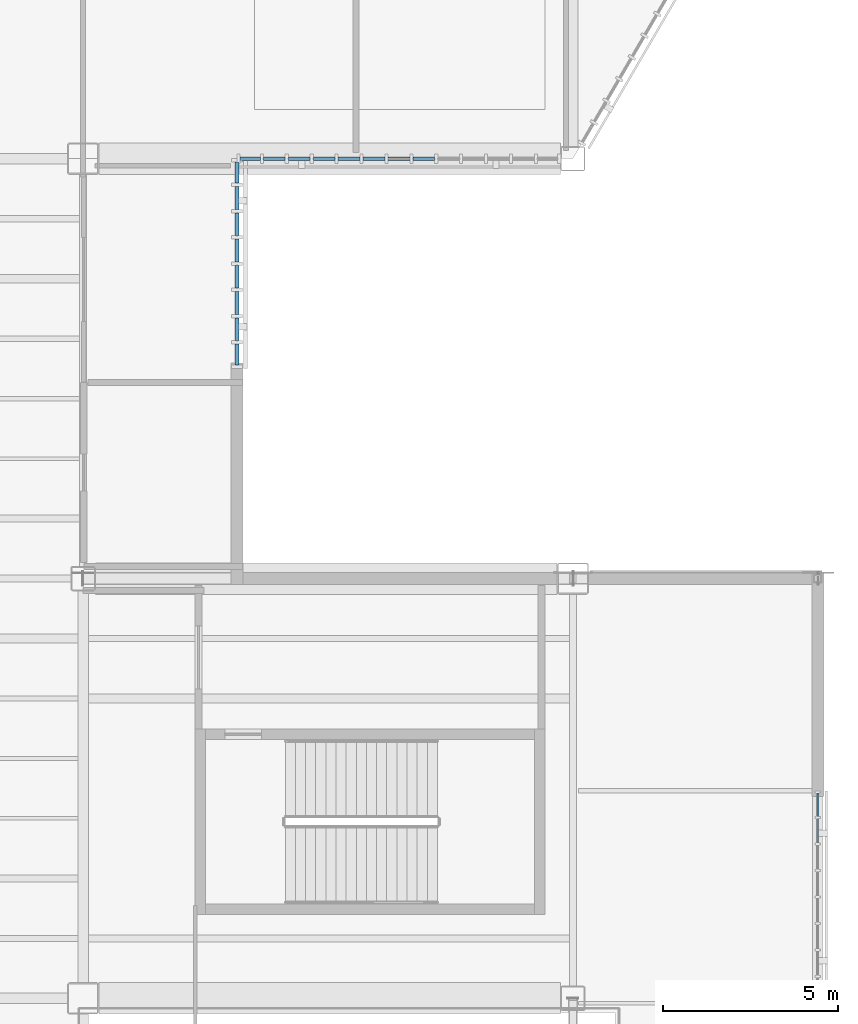
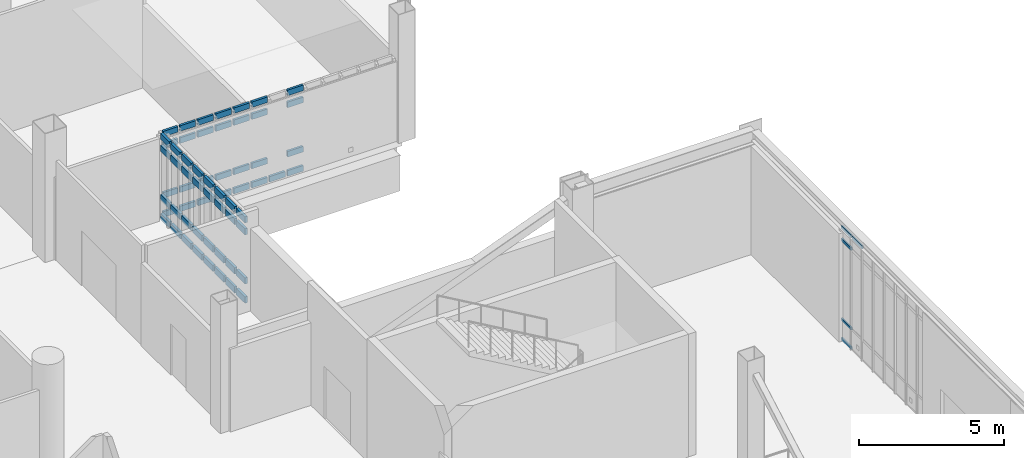
# One storey, part 56 of 127: 66 members, 3 elements without a shape of their own.
"""IFC4 building model written with IfcOpenShell, lengths in metres."""

from ifc_helpers import new_model, si_unit, direction, frame, origin, origin_2d, place, context, subcontext, project, spatial, rectangle, extrude, material, material_profile, profile_set, type_object, element, aggregate, save


model = new_model("IFC4")

# Units and contexts
model_context = context("Model", 3, precision=1e-05, world=origin(), true_north=direction((0.0, 1.0)))
body_context = subcontext(model_context, "Body", "Model", "MODEL_VIEW")
ifc_project = project(units=[si_unit("LENGTHUNIT", "METRE"), si_unit("AREAUNIT", "SQUARE_METRE"), si_unit("VOLUMEUNIT", "CUBIC_METRE"), si_unit("PLANEANGLEUNIT", "RADIAN"), si_unit("MASSUNIT", "GRAM", prefix="KILO")], contexts=[model_context])

# Site, building, storey
site_placement = place(None, origin())
site = spatial("IfcSite", under=ifc_project, at=site_placement, CompositionType="ELEMENT")
building_placement = place(site_placement, origin())
building = spatial("IfcBuilding", under=site, at=building_placement, Name="Larkvane Passage Sports Hall", CompositionType="ELEMENT")
storey_placement = place(building_placement, frame((0.0, 0.0, 5.39990234375)))
storey = spatial("IfcBuildingStorey", under=building, at=storey_placement, Name="L01", CompositionType="ELEMENT", Elevation=5.39990234375)

# Curtain wall, members
ifc_material_1 = material(Name="Thermally broken aluminium and low-E glazing", Category="aluminium")
curtain_wall_type_1 = type_object("IfcCurtainWallType", Name="CW-CLINIC", PredefinedType="USERDEFINED", material=ifc_material_1)
curtain_wall_1_placement = place(storey_placement, origin())
curtain_wall_1 = element("IfcCurtainWall", 1, at=curtain_wall_1_placement, inside=storey, type_object=curtain_wall_type_1, Name="Curtain wall CW5-L01-059", ObjectType="UNITISED CURTAIN WALL", PredefinedType="USERDEFINED")
ifc_material_2 = material(Name="Anodised aluminium 6063-T6", Category="aluminium")
ifc_material_profile_1 = material_profile(ifc_material_2, rectangle(XDim=0.10009765625, YDim=0.260009765625, at=origin_2d()), Name="ALU-TRN-100x260")
ifc_profile_set_1 = profile_set([ifc_material_profile_1], Name="Anodised aluminium 6063-T6")
member_type_1 = type_object("IfcMemberType", Name="CW-TRN-100x260", PredefinedType="USERDEFINED", material=ifc_profile_set_1)
member_1_placement = place(storey_placement, frame((136.0, 63.5, 0.050048828125), z_axis=(0.0, -1.0, 0.0), x_axis=(1.0, 0.0, 0.0)))
member_1 = element("IfcMember", 2, at=member_1_placement, type_object=member_type_1, Name="CW-05 transom 1.1", ObjectType="TRANSOM", PredefinedType="USERDEFINED", context=body_context, shape_type="SweptSolid", body=[
    extrude(rectangle(XDim=0.10009765625, YDim=0.260009765625, at=origin_2d()), origin(), (0.0, 0.0, 1.0), 0.60009765625),
])
member_2_placement = place(storey_placement, frame((136.0, 63.5, 0.85009765625), z_axis=(0.0, -1.0, 0.0), x_axis=(1.0, 0.0, 0.0)))
member_2 = element("IfcMember", 3, at=member_2_placement, type_object=member_type_1, Name="CW-05 transom 1.2", ObjectType="TRANSOM", PredefinedType="USERDEFINED", context=body_context, shape_type="SweptSolid", body=[
    extrude(rectangle(XDim=0.10009765625, YDim=0.260009765625, at=origin_2d()), origin(), (0.0, 0.0, 1.0), 0.60009765625),
])
member_3_placement = place(storey_placement, frame((136.0, 63.5, 2.918212890625), z_axis=(0.0, -1.0, 0.0), x_axis=(1.0, 0.0, 0.0)))
member_3 = element("IfcMember", 4, at=member_3_placement, type_object=member_type_1, Name="CW-05 transom 1.3", ObjectType="TRANSOM", PredefinedType="USERDEFINED", context=body_context, shape_type="SweptSolid", body=[
    extrude(rectangle(XDim=0.10009765625, YDim=0.260009765625, at=origin_2d()), origin(), (0.0, 0.0, 1.0), 0.60009765625),
])
member_4_placement = place(storey_placement, frame((136.0, 63.5, 3.418212890625), z_axis=(0.0, -1.0, 0.0), x_axis=(1.0, 0.0, 0.0)))
member_4 = element("IfcMember", 5, at=member_4_placement, type_object=member_type_1, Name="CW-05 transom 1.4", ObjectType="TRANSOM", PredefinedType="USERDEFINED", context=body_context, shape_type="SweptSolid", body=[
    extrude(rectangle(XDim=0.10009765625, YDim=0.260009765625, at=origin_2d()), origin(), (0.0, 0.0, 1.0), 0.60009765625),
])
member_5_placement = place(storey_placement, frame((136.0, 62.800048828125, 0.050048828125), z_axis=(0.0, -1.0, 0.0), x_axis=(1.0, 0.0, 0.0)))
member_5 = element("IfcMember", 6, at=member_5_placement, type_object=member_type_1, Name="CW-05 transom 2.1", ObjectType="TRANSOM", PredefinedType="USERDEFINED", context=body_context, shape_type="SweptSolid", body=[
    extrude(rectangle(XDim=0.10009765625, YDim=0.260009765625, at=origin_2d()), origin(), (0.0, 0.0, 1.0), 0.650146484375),
])
member_6_placement = place(storey_placement, frame((136.0, 62.800048828125, 0.85009765625), z_axis=(0.0, -1.0, 0.0), x_axis=(1.0, 0.0, 0.0)))
member_6 = element("IfcMember", 7, at=member_6_placement, type_object=member_type_1, Name="CW-05 transom 2.2", ObjectType="TRANSOM", PredefinedType="USERDEFINED", context=body_context, shape_type="SweptSolid", body=[
    extrude(rectangle(XDim=0.10009765625, YDim=0.260009765625, at=origin_2d()), origin(), (0.0, 0.0, 1.0), 0.650146484375),
])
member_7_placement = place(storey_placement, frame((136.0, 62.800048828125, 2.918212890625), z_axis=(0.0, -1.0, 0.0), x_axis=(1.0, 0.0, 0.0)))
member_7 = element("IfcMember", 8, at=member_7_placement, type_object=member_type_1, Name="CW-05 transom 2.3", ObjectType="TRANSOM", PredefinedType="USERDEFINED", context=body_context, shape_type="SweptSolid", body=[
    extrude(rectangle(XDim=0.10009765625, YDim=0.260009765625, at=origin_2d()), origin(), (0.0, 0.0, 1.0), 0.650146484375),
])
member_8_placement = place(storey_placement, frame((136.0, 62.800048828125, 3.418212890625), z_axis=(0.0, -1.0, 0.0), x_axis=(1.0, 0.0, 0.0)))
member_8 = element("IfcMember", 9, at=member_8_placement, type_object=member_type_1, Name="CW-05 transom 2.4", ObjectType="TRANSOM", PredefinedType="USERDEFINED", context=body_context, shape_type="SweptSolid", body=[
    extrude(rectangle(XDim=0.10009765625, YDim=0.260009765625, at=origin_2d()), origin(), (0.0, 0.0, 1.0), 0.650146484375),
])
member_9_placement = place(storey_placement, frame((136.0, 62.050048828125, 0.050048828125), z_axis=(0.0, -1.0, 0.0), x_axis=(1.0, 0.0, 0.0)))
member_9 = element("IfcMember", 10, at=member_9_placement, type_object=member_type_1, Name="CW-05 transom 3.1", ObjectType="TRANSOM", PredefinedType="USERDEFINED", context=body_context, shape_type="SweptSolid", body=[
    extrude(rectangle(XDim=0.10009765625, YDim=0.260009765625, at=origin_2d()), origin(), (0.0, 0.0, 1.0), 0.650146484375),
])
member_10_placement = place(storey_placement, frame((136.0, 62.050048828125, 0.85009765625), z_axis=(0.0, -1.0, 0.0), x_axis=(1.0, 0.0, 0.0)))
member_10 = element("IfcMember", 11, at=member_10_placement, type_object=member_type_1, Name="CW-05 transom 3.2", ObjectType="TRANSOM", PredefinedType="USERDEFINED", context=body_context, shape_type="SweptSolid", body=[
    extrude(rectangle(XDim=0.10009765625, YDim=0.260009765625, at=origin_2d()), origin(), (0.0, 0.0, 1.0), 0.650146484375),
])
member_11_placement = place(storey_placement, frame((136.0, 62.050048828125, 2.918212890625), z_axis=(0.0, -1.0, 0.0), x_axis=(1.0, 0.0, 0.0)))
member_11 = element("IfcMember", 12, at=member_11_placement, type_object=member_type_1, Name="CW-05 transom 3.3", ObjectType="TRANSOM", PredefinedType="USERDEFINED", context=body_context, shape_type="SweptSolid", body=[
    extrude(rectangle(XDim=0.10009765625, YDim=0.260009765625, at=origin_2d()), origin(), (0.0, 0.0, 1.0), 0.650146484375),
])
member_12_placement = place(storey_placement, frame((136.0, 62.050048828125, 3.418212890625), z_axis=(0.0, -1.0, 0.0), x_axis=(1.0, 0.0, 0.0)))
member_12 = element("IfcMember", 13, at=member_12_placement, type_object=member_type_1, Name="CW-05 transom 3.4", ObjectType="TRANSOM", PredefinedType="USERDEFINED", context=body_context, shape_type="SweptSolid", body=[
    extrude(rectangle(XDim=0.10009765625, YDim=0.260009765625, at=origin_2d()), origin(), (0.0, 0.0, 1.0), 0.650146484375),
])
member_13_placement = place(storey_placement, frame((136.0, 61.300048828125, 0.050048828125), z_axis=(0.0, -1.0, 0.0), x_axis=(1.0, 0.0, 0.0)))
member_13 = element("IfcMember", 14, at=member_13_placement, type_object=member_type_1, Name="CW-05 transom 4.1", ObjectType="TRANSOM", PredefinedType="USERDEFINED", context=body_context, shape_type="SweptSolid", body=[
    extrude(rectangle(XDim=0.10009765625, YDim=0.260009765625, at=origin_2d()), origin(), (0.0, 0.0, 1.0), 0.650146484375),
])
member_14_placement = place(storey_placement, frame((136.0, 61.300048828125, 0.85009765625), z_axis=(0.0, -1.0, 0.0), x_axis=(1.0, 0.0, 0.0)))
member_14 = element("IfcMember", 15, at=member_14_placement, type_object=member_type_1, Name="CW-05 transom 4.2", ObjectType="TRANSOM", PredefinedType="USERDEFINED", context=body_context, shape_type="SweptSolid", body=[
    extrude(rectangle(XDim=0.10009765625, YDim=0.260009765625, at=origin_2d()), origin(), (0.0, 0.0, 1.0), 0.650146484375),
])
member_15_placement = place(storey_placement, frame((136.0, 61.300048828125, 2.918212890625), z_axis=(0.0, -1.0, 0.0), x_axis=(1.0, 0.0, 0.0)))
member_15 = element("IfcMember", 16, at=member_15_placement, type_object=member_type_1, Name="CW-05 transom 4.3", ObjectType="TRANSOM", PredefinedType="USERDEFINED", context=body_context, shape_type="SweptSolid", body=[
    extrude(rectangle(XDim=0.10009765625, YDim=0.260009765625, at=origin_2d()), origin(), (0.0, 0.0, 1.0), 0.650146484375),
])
member_16_placement = place(storey_placement, frame((136.0, 61.300048828125, 3.418212890625), z_axis=(0.0, -1.0, 0.0), x_axis=(1.0, 0.0, 0.0)))
member_16 = element("IfcMember", 17, at=member_16_placement, type_object=member_type_1, Name="CW-05 transom 4.4", ObjectType="TRANSOM", PredefinedType="USERDEFINED", context=body_context, shape_type="SweptSolid", body=[
    extrude(rectangle(XDim=0.10009765625, YDim=0.260009765625, at=origin_2d()), origin(), (0.0, 0.0, 1.0), 0.650146484375),
])
member_17_placement = place(storey_placement, frame((136.0, 60.550048828125, 0.050048828125), z_axis=(0.0, -1.0, 0.0), x_axis=(1.0, 0.0, 0.0)))
member_17 = element("IfcMember", 18, at=member_17_placement, type_object=member_type_1, Name="CW-05 transom 5.1", ObjectType="TRANSOM", PredefinedType="USERDEFINED", context=body_context, shape_type="SweptSolid", body=[
    extrude(rectangle(XDim=0.10009765625, YDim=0.260009765625, at=origin_2d()), origin(), (0.0, 0.0, 1.0), 0.650146484375),
])
member_18_placement = place(storey_placement, frame((136.0, 60.550048828125, 0.85009765625), z_axis=(0.0, -1.0, 0.0), x_axis=(1.0, 0.0, 0.0)))
member_18 = element("IfcMember", 19, at=member_18_placement, type_object=member_type_1, Name="CW-05 transom 5.2", ObjectType="TRANSOM", PredefinedType="USERDEFINED", context=body_context, shape_type="SweptSolid", body=[
    extrude(rectangle(XDim=0.10009765625, YDim=0.260009765625, at=origin_2d()), origin(), (0.0, 0.0, 1.0), 0.650146484375),
])
member_19_placement = place(storey_placement, frame((136.0, 60.550048828125, 2.918212890625), z_axis=(0.0, -1.0, 0.0), x_axis=(1.0, 0.0, 0.0)))
member_19 = element("IfcMember", 20, at=member_19_placement, type_object=member_type_1, Name="CW-05 transom 5.3", ObjectType="TRANSOM", PredefinedType="USERDEFINED", context=body_context, shape_type="SweptSolid", body=[
    extrude(rectangle(XDim=0.10009765625, YDim=0.260009765625, at=origin_2d()), origin(), (0.0, 0.0, 1.0), 0.650146484375),
])
member_20_placement = place(storey_placement, frame((136.0, 60.550048828125, 3.418212890625), z_axis=(0.0, -1.0, 0.0), x_axis=(1.0, 0.0, 0.0)))
member_20 = element("IfcMember", 21, at=member_20_placement, type_object=member_type_1, Name="CW-05 transom 5.4", ObjectType="TRANSOM", PredefinedType="USERDEFINED", context=body_context, shape_type="SweptSolid", body=[
    extrude(rectangle(XDim=0.10009765625, YDim=0.260009765625, at=origin_2d()), origin(), (0.0, 0.0, 1.0), 0.650146484375),
])
member_21_placement = place(storey_placement, frame((136.0, 59.800048828125, 0.050048828125), z_axis=(0.0, -1.0, 0.0), x_axis=(1.0, 0.0, 0.0)))
member_21 = element("IfcMember", 22, at=member_21_placement, type_object=member_type_1, Name="CW-05 transom 6.1", ObjectType="TRANSOM", PredefinedType="USERDEFINED", context=body_context, shape_type="SweptSolid", body=[
    extrude(rectangle(XDim=0.10009765625, YDim=0.260009765625, at=origin_2d()), origin(), (0.0, 0.0, 1.0), 0.650146484375),
])
member_22_placement = place(storey_placement, frame((136.0, 59.800048828125, 0.85009765625), z_axis=(0.0, -1.0, 0.0), x_axis=(1.0, 0.0, 0.0)))
member_22 = element("IfcMember", 23, at=member_22_placement, type_object=member_type_1, Name="CW-05 transom 6.2", ObjectType="TRANSOM", PredefinedType="USERDEFINED", context=body_context, shape_type="SweptSolid", body=[
    extrude(rectangle(XDim=0.10009765625, YDim=0.260009765625, at=origin_2d()), origin(), (0.0, 0.0, 1.0), 0.650146484375),
])
member_23_placement = place(storey_placement, frame((136.0, 59.800048828125, 2.918212890625), z_axis=(0.0, -1.0, 0.0), x_axis=(1.0, 0.0, 0.0)))
member_23 = element("IfcMember", 24, at=member_23_placement, type_object=member_type_1, Name="CW-05 transom 6.3", ObjectType="TRANSOM", PredefinedType="USERDEFINED", context=body_context, shape_type="SweptSolid", body=[
    extrude(rectangle(XDim=0.10009765625, YDim=0.260009765625, at=origin_2d()), origin(), (0.0, 0.0, 1.0), 0.650146484375),
])
member_24_placement = place(storey_placement, frame((136.0, 59.800048828125, 3.418212890625), z_axis=(0.0, -1.0, 0.0), x_axis=(1.0, 0.0, 0.0)))
member_24 = element("IfcMember", 25, at=member_24_placement, type_object=member_type_1, Name="CW-05 transom 6.4", ObjectType="TRANSOM", PredefinedType="USERDEFINED", context=body_context, shape_type="SweptSolid", body=[
    extrude(rectangle(XDim=0.10009765625, YDim=0.260009765625, at=origin_2d()), origin(), (0.0, 0.0, 1.0), 0.650146484375),
])
member_25_placement = place(storey_placement, frame((136.0, 59.050048828125, 0.050048828125), z_axis=(0.0, -1.0, 0.0), x_axis=(1.0, 0.0, 0.0)))
member_25 = element("IfcMember", 26, at=member_25_placement, type_object=member_type_1, Name="CW-05 transom 7.1", ObjectType="TRANSOM", PredefinedType="USERDEFINED", context=body_context, shape_type="SweptSolid", body=[
    extrude(rectangle(XDim=0.10009765625, YDim=0.260009765625, at=origin_2d()), origin(), (0.0, 0.0, 1.0), 0.650146484375),
])
member_26_placement = place(storey_placement, frame((136.0, 59.050048828125, 0.85009765625), z_axis=(0.0, -1.0, 0.0), x_axis=(1.0, 0.0, 0.0)))
member_26 = element("IfcMember", 27, at=member_26_placement, type_object=member_type_1, Name="CW-05 transom 7.2", ObjectType="TRANSOM", PredefinedType="USERDEFINED", context=body_context, shape_type="SweptSolid", body=[
    extrude(rectangle(XDim=0.10009765625, YDim=0.260009765625, at=origin_2d()), origin(), (0.0, 0.0, 1.0), 0.650146484375),
])
member_27_placement = place(storey_placement, frame((136.0, 59.050048828125, 2.918212890625), z_axis=(0.0, -1.0, 0.0), x_axis=(1.0, 0.0, 0.0)))
member_27 = element("IfcMember", 28, at=member_27_placement, type_object=member_type_1, Name="CW-05 transom 7.3", ObjectType="TRANSOM", PredefinedType="USERDEFINED", context=body_context, shape_type="SweptSolid", body=[
    extrude(rectangle(XDim=0.10009765625, YDim=0.260009765625, at=origin_2d()), origin(), (0.0, 0.0, 1.0), 0.650146484375),
])
member_28_placement = place(storey_placement, frame((136.0, 59.050048828125, 3.418212890625), z_axis=(0.0, -1.0, 0.0), x_axis=(1.0, 0.0, 0.0)))
member_28 = element("IfcMember", 29, at=member_28_placement, type_object=member_type_1, Name="CW-05 transom 7.4", ObjectType="TRANSOM", PredefinedType="USERDEFINED", context=body_context, shape_type="SweptSolid", body=[
    extrude(rectangle(XDim=0.10009765625, YDim=0.260009765625, at=origin_2d()), origin(), (0.0, 0.0, 1.0), 0.650146484375),
])
member_29_placement = place(storey_placement, frame((136.0, 58.300048828125, 0.050048828125), z_axis=(0.0, -1.0, 0.0), x_axis=(1.0, 0.0, 0.0)))
member_29 = element("IfcMember", 30, at=member_29_placement, type_object=member_type_1, Name="CW-05 transom 8.1", ObjectType="TRANSOM", PredefinedType="USERDEFINED", context=body_context, shape_type="SweptSolid", body=[
    extrude(rectangle(XDim=0.10009765625, YDim=0.260009765625, at=origin_2d()), origin(), (0.0, 0.0, 1.0), 0.60009765625),
])
member_30_placement = place(storey_placement, frame((136.0, 58.300048828125, 0.85009765625), z_axis=(0.0, -1.0, 0.0), x_axis=(1.0, 0.0, 0.0)))
member_30 = element("IfcMember", 31, at=member_30_placement, type_object=member_type_1, Name="CW-05 transom 8.2", ObjectType="TRANSOM", PredefinedType="USERDEFINED", context=body_context, shape_type="SweptSolid", body=[
    extrude(rectangle(XDim=0.10009765625, YDim=0.260009765625, at=origin_2d()), origin(), (0.0, 0.0, 1.0), 0.60009765625),
])
member_31_placement = place(storey_placement, frame((136.0, 58.300048828125, 2.918212890625), z_axis=(0.0, -1.0, 0.0), x_axis=(1.0, 0.0, 0.0)))
member_31 = element("IfcMember", 32, at=member_31_placement, type_object=member_type_1, Name="CW-05 transom 8.3", ObjectType="TRANSOM", PredefinedType="USERDEFINED", context=body_context, shape_type="SweptSolid", body=[
    extrude(rectangle(XDim=0.10009765625, YDim=0.260009765625, at=origin_2d()), origin(), (0.0, 0.0, 1.0), 0.60009765625),
])
member_32_placement = place(storey_placement, frame((136.0, 58.300048828125, 3.418212890625), z_axis=(0.0, -1.0, 0.0), x_axis=(1.0, 0.0, 0.0)))
member_32 = element("IfcMember", 33, at=member_32_placement, type_object=member_type_1, Name="CW-05 transom 8.4", ObjectType="TRANSOM", PredefinedType="USERDEFINED", context=body_context, shape_type="SweptSolid", body=[
    extrude(rectangle(XDim=0.10009765625, YDim=0.260009765625, at=origin_2d()), origin(), (0.0, 0.0, 1.0), 0.60009765625),
])
aggregate(curtain_wall_1, [member_1, member_2, member_3, member_4, member_5, member_6, member_7, member_8, member_9, member_10, member_11, member_12, member_13, member_14, member_15, member_16, member_17, member_18, member_19, member_20, member_21, member_22, member_23, member_24, member_25, member_26, member_27, member_28, member_29, member_30, member_31, member_32])

curtain_wall_type_2 = type_object("IfcCurtainWallType", Name="CW-UNIT-COURT", PredefinedType="USERDEFINED", material=ifc_material_1)
curtain_wall_2_placement = place(storey_placement, origin())
curtain_wall_2 = element("IfcCurtainWall", 34, at=curtain_wall_2_placement, inside=storey, type_object=curtain_wall_type_2, Name="Curtain wall CW5-L01-060", ObjectType="UNITISED CURTAIN WALL", PredefinedType="USERDEFINED")
ifc_material_profile_2 = material_profile(ifc_material_2, rectangle(XDim=0.06005859375, YDim=0.1201171875, at=origin_2d()), Name="ALU-TRN-60x120")
ifc_profile_set_2 = profile_set([ifc_material_profile_2], Name="Anodised aluminium 6063-T6")
member_type_2 = type_object("IfcMemberType", Name="CW-TRN-60x120", PredefinedType="USERDEFINED", material=ifc_profile_set_2)
member_33_placement = place(storey_placement, frame((152.60009765625, 45.473388671875, 0.030029296875), z_axis=(0.0, -1.0, 0.0), x_axis=(1.0, 0.0, 0.0)))
member_33 = element("IfcMember", 35, at=member_33_placement, type_object=member_type_2, Name="CW-01 transom 1.1", ObjectType="TRANSOM", PredefinedType="USERDEFINED", context=body_context, shape_type="SweptSolid", body=[
    extrude(rectangle(XDim=0.06005859375, YDim=0.1201171875, at=origin_2d()), origin(), (0.0, 0.0, 1.0), 0.66845703125),
])
member_34_placement = place(storey_placement, frame((152.60009765625, 45.473388671875, 0.85009765625), z_axis=(0.0, -1.0, 0.0), x_axis=(1.0, 0.0, 0.0)))
member_34 = element("IfcMember", 36, at=member_34_placement, type_object=member_type_2, Name="CW-01 transom 1.2", ObjectType="TRANSOM", PredefinedType="USERDEFINED", context=body_context, shape_type="SweptSolid", body=[
    extrude(rectangle(XDim=0.06005859375, YDim=0.1201171875, at=origin_2d()), origin(), (0.0, 0.0, 1.0), 0.66845703125),
])
member_35_placement = place(storey_placement, frame((152.60009765625, 45.473388671875, 4.197998046875), z_axis=(0.0, -1.0, 0.0), x_axis=(1.0, 0.0, 0.0)))
member_35 = element("IfcMember", 37, at=member_35_placement, type_object=member_type_2, Name="CW-01 transom 1.3", ObjectType="TRANSOM", PredefinedType="USERDEFINED", context=body_context, shape_type="SweptSolid", body=[
    extrude(rectangle(XDim=0.06005859375, YDim=0.1201171875, at=origin_2d()), origin(), (0.0, 0.0, 1.0), 0.66845703125),
])
member_36_placement = place(storey_placement, frame((152.60009765625, 45.473388671875, 4.718017578125), z_axis=(0.0, -1.0, 0.0), x_axis=(1.0, 0.0, 0.0)))
member_36 = element("IfcMember", 38, at=member_36_placement, type_object=member_type_2, Name="CW-01 transom 1.4", ObjectType="TRANSOM", PredefinedType="USERDEFINED", context=body_context, shape_type="SweptSolid", body=[
    extrude(rectangle(XDim=0.06005859375, YDim=0.1201171875, at=origin_2d()), origin(), (0.0, 0.0, 1.0), 0.66845703125),
])
member_37_placement = place(storey_placement, frame((152.60009765625, 44.744873046875, 4.718017578125), z_axis=(0.0, -1.0, 0.0), x_axis=(1.0, 0.0, 0.0)))
member_37 = element("IfcMember", 39, at=member_37_placement, type_object=member_type_2, Name="CW-01 transom 2.4", ObjectType="TRANSOM", PredefinedType="USERDEFINED", context=body_context, shape_type="SweptSolid", body=[
    extrude(rectangle(XDim=0.06005859375, YDim=0.1201171875, at=origin_2d()), origin(), (0.0, 0.0, 1.0), 0.6982421875),
])
aggregate(curtain_wall_2, [member_33, member_34, member_35, member_36, member_37])

curtain_wall_type_3 = type_object("IfcCurtainWallType", Name="CW-STICK-FOYER", PredefinedType="USERDEFINED", material=ifc_material_1)
curtain_wall_3_placement = place(storey_placement, origin())
curtain_wall_3 = element("IfcCurtainWall", 40, at=curtain_wall_3_placement, inside=storey, type_object=curtain_wall_type_3, Name="Curtain wall CW5-L01-058", ObjectType="STICK CURTAIN WALL", PredefinedType="USERDEFINED")
ifc_material_profile_3 = material_profile(ifc_material_2, rectangle(XDim=0.090087890625, YDim=0.235107421875, at=origin_2d()), Name="ALU-TRN-90x235")
ifc_profile_set_3 = profile_set([ifc_material_profile_3], Name="Anodised aluminium 6063-T6")
member_type_3 = type_object("IfcMemberType", Name="CW-TRN-90x235", PredefinedType="USERDEFINED", material=ifc_profile_set_3)
member_38_placement = place(storey_placement, frame((141.649658203125, 63.60009765625, 0.045166015625), z_axis=(-1.0, 0.0, 0.0), x_axis=(0.0, -1.0, 0.0)))
member_38 = element("IfcMember", 41, at=member_38_placement, type_object=member_type_3, Name="CW-03 transom 6.1", ObjectType="TRANSOM", PredefinedType="USERDEFINED", context=body_context, shape_type="SweptSolid", body=[
    extrude(rectangle(XDim=0.090087890625, YDim=0.235107421875, at=origin_2d()), origin(), (0.0, 0.0, 1.0), 0.621826171875),
])
member_39_placement = place(storey_placement, frame((141.649658203125, 63.60009765625, 0.85009765625), z_axis=(-1.0, 0.0, 0.0), x_axis=(0.0, -1.0, 0.0)))
member_39 = element("IfcMember", 42, at=member_39_placement, type_object=member_type_3, Name="CW-03 transom 6.2", ObjectType="TRANSOM", PredefinedType="USERDEFINED", context=body_context, shape_type="SweptSolid", body=[
    extrude(rectangle(XDim=0.090087890625, YDim=0.235107421875, at=origin_2d()), origin(), (0.0, 0.0, 1.0), 0.621826171875),
])
member_40_placement = place(storey_placement, frame((141.649658203125, 63.60009765625, 2.918212890625), z_axis=(-1.0, 0.0, 0.0), x_axis=(0.0, -1.0, 0.0)))
member_40 = element("IfcMember", 43, at=member_40_placement, type_object=member_type_3, Name="CW-03 transom 6.3", ObjectType="TRANSOM", PredefinedType="USERDEFINED", context=body_context, shape_type="SweptSolid", body=[
    extrude(rectangle(XDim=0.090087890625, YDim=0.235107421875, at=origin_2d()), origin(), (0.0, 0.0, 1.0), 0.621826171875),
])
member_41_placement = place(storey_placement, frame((141.649658203125, 63.60009765625, 3.423095703125), z_axis=(-1.0, 0.0, 0.0), x_axis=(0.0, -1.0, 0.0)))
member_41 = element("IfcMember", 44, at=member_41_placement, type_object=member_type_3, Name="CW-03 transom 6.4", ObjectType="TRANSOM", PredefinedType="USERDEFINED", context=body_context, shape_type="SweptSolid", body=[
    extrude(rectangle(XDim=0.090087890625, YDim=0.235107421875, at=origin_2d()), origin(), (0.0, 0.0, 1.0), 0.621826171875),
])
member_42_placement = place(storey_placement, frame((140.93798828125, 63.60009765625, 0.045166015625), z_axis=(-1.0, 0.0, 0.0), x_axis=(0.0, -1.0, 0.0)))
member_42 = element("IfcMember", 45, at=member_42_placement, type_object=member_type_3, Name="CW-03 transom 7.1", ObjectType="TRANSOM", PredefinedType="USERDEFINED", context=body_context, shape_type="SweptSolid", body=[
    extrude(rectangle(XDim=0.090087890625, YDim=0.235107421875, at=origin_2d()), origin(), (0.0, 0.0, 1.0), 0.621826171875),
])
member_43_placement = place(storey_placement, frame((140.22607421875, 63.60009765625, 0.045166015625), z_axis=(-1.0, 0.0, 0.0), x_axis=(0.0, -1.0, 0.0)))
member_43 = element("IfcMember", 46, at=member_43_placement, type_object=member_type_3, Name="CW-03 transom 8.1", ObjectType="TRANSOM", PredefinedType="USERDEFINED", context=body_context, shape_type="SweptSolid", body=[
    extrude(rectangle(XDim=0.090087890625, YDim=0.235107421875, at=origin_2d()), origin(), (0.0, 0.0, 1.0), 0.621826171875),
])
member_44_placement = place(storey_placement, frame((140.22607421875, 63.60009765625, 0.85009765625), z_axis=(-1.0, 0.0, 0.0), x_axis=(0.0, -1.0, 0.0)))
member_44 = element("IfcMember", 47, at=member_44_placement, type_object=member_type_3, Name="CW-03 transom 8.2", ObjectType="TRANSOM", PredefinedType="USERDEFINED", context=body_context, shape_type="SweptSolid", body=[
    extrude(rectangle(XDim=0.090087890625, YDim=0.235107421875, at=origin_2d()), origin(), (0.0, 0.0, 1.0), 0.621826171875),
])
member_45_placement = place(storey_placement, frame((140.22607421875, 63.60009765625, 2.918212890625), z_axis=(-1.0, 0.0, 0.0), x_axis=(0.0, -1.0, 0.0)))
member_45 = element("IfcMember", 48, at=member_45_placement, type_object=member_type_3, Name="CW-03 transom 8.3", ObjectType="TRANSOM", PredefinedType="USERDEFINED", context=body_context, shape_type="SweptSolid", body=[
    extrude(rectangle(XDim=0.090087890625, YDim=0.235107421875, at=origin_2d()), origin(), (0.0, 0.0, 1.0), 0.621826171875),
])
member_46_placement = place(storey_placement, frame((140.22607421875, 63.60009765625, 3.423095703125), z_axis=(-1.0, 0.0, 0.0), x_axis=(0.0, -1.0, 0.0)))
member_46 = element("IfcMember", 49, at=member_46_placement, type_object=member_type_3, Name="CW-03 transom 8.4", ObjectType="TRANSOM", PredefinedType="USERDEFINED", context=body_context, shape_type="SweptSolid", body=[
    extrude(rectangle(XDim=0.090087890625, YDim=0.235107421875, at=origin_2d()), origin(), (0.0, 0.0, 1.0), 0.621826171875),
])
member_47_placement = place(storey_placement, frame((139.51416015625, 63.60009765625, 0.045166015625), z_axis=(-1.0, 0.0, 0.0), x_axis=(0.0, -1.0, 0.0)))
member_47 = element("IfcMember", 50, at=member_47_placement, type_object=member_type_3, Name="CW-03 transom 9.1", ObjectType="TRANSOM", PredefinedType="USERDEFINED", context=body_context, shape_type="SweptSolid", body=[
    extrude(rectangle(XDim=0.090087890625, YDim=0.235107421875, at=origin_2d()), origin(), (0.0, 0.0, 1.0), 0.621826171875),
])
member_48_placement = place(storey_placement, frame((139.51416015625, 63.60009765625, 0.85009765625), z_axis=(-1.0, 0.0, 0.0), x_axis=(0.0, -1.0, 0.0)))
member_48 = element("IfcMember", 51, at=member_48_placement, type_object=member_type_3, Name="CW-03 transom 9.2", ObjectType="TRANSOM", PredefinedType="USERDEFINED", context=body_context, shape_type="SweptSolid", body=[
    extrude(rectangle(XDim=0.090087890625, YDim=0.235107421875, at=origin_2d()), origin(), (0.0, 0.0, 1.0), 0.621826171875),
])
member_49_placement = place(storey_placement, frame((139.51416015625, 63.60009765625, 2.918212890625), z_axis=(-1.0, 0.0, 0.0), x_axis=(0.0, -1.0, 0.0)))
member_49 = element("IfcMember", 52, at=member_49_placement, type_object=member_type_3, Name="CW-03 transom 9.3", ObjectType="TRANSOM", PredefinedType="USERDEFINED", context=body_context, shape_type="SweptSolid", body=[
    extrude(rectangle(XDim=0.090087890625, YDim=0.235107421875, at=origin_2d()), origin(), (0.0, 0.0, 1.0), 0.621826171875),
])
member_50_placement = place(storey_placement, frame((139.51416015625, 63.60009765625, 3.423095703125), z_axis=(-1.0, 0.0, 0.0), x_axis=(0.0, -1.0, 0.0)))
member_50 = element("IfcMember", 53, at=member_50_placement, type_object=member_type_3, Name="CW-03 transom 9.4", ObjectType="TRANSOM", PredefinedType="USERDEFINED", context=body_context, shape_type="SweptSolid", body=[
    extrude(rectangle(XDim=0.090087890625, YDim=0.235107421875, at=origin_2d()), origin(), (0.0, 0.0, 1.0), 0.621826171875),
])
member_51_placement = place(storey_placement, frame((138.802490234375, 63.60009765625, 0.045166015625), z_axis=(-1.0, 0.0, 0.0), x_axis=(0.0, -1.0, 0.0)))
member_51 = element("IfcMember", 54, at=member_51_placement, type_object=member_type_3, Name="CW-03 transom 10.1", ObjectType="TRANSOM", PredefinedType="USERDEFINED", context=body_context, shape_type="SweptSolid", body=[
    extrude(rectangle(XDim=0.090087890625, YDim=0.235107421875, at=origin_2d()), origin(), (0.0, 0.0, 1.0), 0.6220703125),
])
member_52_placement = place(storey_placement, frame((138.802490234375, 63.60009765625, 0.85009765625), z_axis=(-1.0, 0.0, 0.0), x_axis=(0.0, -1.0, 0.0)))
member_52 = element("IfcMember", 55, at=member_52_placement, type_object=member_type_3, Name="CW-03 transom 10.2", ObjectType="TRANSOM", PredefinedType="USERDEFINED", context=body_context, shape_type="SweptSolid", body=[
    extrude(rectangle(XDim=0.090087890625, YDim=0.235107421875, at=origin_2d()), origin(), (0.0, 0.0, 1.0), 0.6220703125),
])
member_53_placement = place(storey_placement, frame((138.802490234375, 63.60009765625, 2.918212890625), z_axis=(-1.0, 0.0, 0.0), x_axis=(0.0, -1.0, 0.0)))
member_53 = element("IfcMember", 56, at=member_53_placement, type_object=member_type_3, Name="CW-03 transom 10.3", ObjectType="TRANSOM", PredefinedType="USERDEFINED", context=body_context, shape_type="SweptSolid", body=[
    extrude(rectangle(XDim=0.090087890625, YDim=0.235107421875, at=origin_2d()), origin(), (0.0, 0.0, 1.0), 0.6220703125),
])
member_54_placement = place(storey_placement, frame((138.802490234375, 63.60009765625, 3.423095703125), z_axis=(-1.0, 0.0, 0.0), x_axis=(0.0, -1.0, 0.0)))
member_54 = element("IfcMember", 57, at=member_54_placement, type_object=member_type_3, Name="CW-03 transom 10.4", ObjectType="TRANSOM", PredefinedType="USERDEFINED", context=body_context, shape_type="SweptSolid", body=[
    extrude(rectangle(XDim=0.090087890625, YDim=0.235107421875, at=origin_2d()), origin(), (0.0, 0.0, 1.0), 0.6220703125),
])
member_55_placement = place(storey_placement, frame((138.090576171875, 63.60009765625, 0.045166015625), z_axis=(-1.0, 0.0, 0.0), x_axis=(0.0, -1.0, 0.0)))
member_55 = element("IfcMember", 58, at=member_55_placement, type_object=member_type_3, Name="CW-03 transom 11.1", ObjectType="TRANSOM", PredefinedType="USERDEFINED", context=body_context, shape_type="SweptSolid", body=[
    extrude(rectangle(XDim=0.090087890625, YDim=0.235107421875, at=origin_2d()), origin(), (0.0, 0.0, 1.0), 0.621826171875),
])
member_56_placement = place(storey_placement, frame((138.090576171875, 63.60009765625, 0.85009765625), z_axis=(-1.0, 0.0, 0.0), x_axis=(0.0, -1.0, 0.0)))
member_56 = element("IfcMember", 59, at=member_56_placement, type_object=member_type_3, Name="CW-03 transom 11.2", ObjectType="TRANSOM", PredefinedType="USERDEFINED", context=body_context, shape_type="SweptSolid", body=[
    extrude(rectangle(XDim=0.090087890625, YDim=0.235107421875, at=origin_2d()), origin(), (0.0, 0.0, 1.0), 0.621826171875),
])
member_57_placement = place(storey_placement, frame((138.090576171875, 63.60009765625, 2.918212890625), z_axis=(-1.0, 0.0, 0.0), x_axis=(0.0, -1.0, 0.0)))
member_57 = element("IfcMember", 60, at=member_57_placement, type_object=member_type_3, Name="CW-03 transom 11.3", ObjectType="TRANSOM", PredefinedType="USERDEFINED", context=body_context, shape_type="SweptSolid", body=[
    extrude(rectangle(XDim=0.090087890625, YDim=0.235107421875, at=origin_2d()), origin(), (0.0, 0.0, 1.0), 0.621826171875),
])
member_58_placement = place(storey_placement, frame((138.090576171875, 63.60009765625, 3.423095703125), z_axis=(-1.0, 0.0, 0.0), x_axis=(0.0, -1.0, 0.0)))
member_58 = element("IfcMember", 61, at=member_58_placement, type_object=member_type_3, Name="CW-03 transom 11.4", ObjectType="TRANSOM", PredefinedType="USERDEFINED", context=body_context, shape_type="SweptSolid", body=[
    extrude(rectangle(XDim=0.090087890625, YDim=0.235107421875, at=origin_2d()), origin(), (0.0, 0.0, 1.0), 0.621826171875),
])
member_59_placement = place(storey_placement, frame((137.378662109375, 63.60009765625, 0.045166015625), z_axis=(-1.0, 0.0, 0.0), x_axis=(0.0, -1.0, 0.0)))
member_59 = element("IfcMember", 62, at=member_59_placement, type_object=member_type_3, Name="CW-03 transom 12.1", ObjectType="TRANSOM", PredefinedType="USERDEFINED", context=body_context, shape_type="SweptSolid", body=[
    extrude(rectangle(XDim=0.090087890625, YDim=0.235107421875, at=origin_2d()), origin(), (0.0, 0.0, 1.0), 0.621826171875),
])
member_60_placement = place(storey_placement, frame((137.378662109375, 63.60009765625, 0.85009765625), z_axis=(-1.0, 0.0, 0.0), x_axis=(0.0, -1.0, 0.0)))
member_60 = element("IfcMember", 63, at=member_60_placement, type_object=member_type_3, Name="CW-03 transom 12.2", ObjectType="TRANSOM", PredefinedType="USERDEFINED", context=body_context, shape_type="SweptSolid", body=[
    extrude(rectangle(XDim=0.090087890625, YDim=0.235107421875, at=origin_2d()), origin(), (0.0, 0.0, 1.0), 0.621826171875),
])
member_61_placement = place(storey_placement, frame((137.378662109375, 63.60009765625, 2.918212890625), z_axis=(-1.0, 0.0, 0.0), x_axis=(0.0, -1.0, 0.0)))
member_61 = element("IfcMember", 64, at=member_61_placement, type_object=member_type_3, Name="CW-03 transom 12.3", ObjectType="TRANSOM", PredefinedType="USERDEFINED", context=body_context, shape_type="SweptSolid", body=[
    extrude(rectangle(XDim=0.090087890625, YDim=0.235107421875, at=origin_2d()), origin(), (0.0, 0.0, 1.0), 0.621826171875),
])
member_62_placement = place(storey_placement, frame((137.378662109375, 63.60009765625, 3.423095703125), z_axis=(-1.0, 0.0, 0.0), x_axis=(0.0, -1.0, 0.0)))
member_62 = element("IfcMember", 65, at=member_62_placement, type_object=member_type_3, Name="CW-03 transom 12.4", ObjectType="TRANSOM", PredefinedType="USERDEFINED", context=body_context, shape_type="SweptSolid", body=[
    extrude(rectangle(XDim=0.090087890625, YDim=0.235107421875, at=origin_2d()), origin(), (0.0, 0.0, 1.0), 0.621826171875),
])
member_63_placement = place(storey_placement, frame((136.666748046875, 63.60009765625, 0.045166015625), z_axis=(-1.0, 0.0, 0.0), x_axis=(0.0, -1.0, 0.0)))
member_63 = element("IfcMember", 66, at=member_63_placement, type_object=member_type_3, Name="CW-03 transom 13.1", ObjectType="TRANSOM", PredefinedType="USERDEFINED", context=body_context, shape_type="SweptSolid", body=[
    extrude(rectangle(XDim=0.090087890625, YDim=0.235107421875, at=origin_2d()), origin(), (0.0, 0.0, 1.0), 0.57666015625),
])
member_64_placement = place(storey_placement, frame((136.666748046875, 63.60009765625, 0.85009765625), z_axis=(-1.0, 0.0, 0.0), x_axis=(0.0, -1.0, 0.0)))
member_64 = element("IfcMember", 67, at=member_64_placement, type_object=member_type_3, Name="CW-03 transom 13.2", ObjectType="TRANSOM", PredefinedType="USERDEFINED", context=body_context, shape_type="SweptSolid", body=[
    extrude(rectangle(XDim=0.090087890625, YDim=0.235107421875, at=origin_2d()), origin(), (0.0, 0.0, 1.0), 0.57666015625),
])
member_65_placement = place(storey_placement, frame((136.666748046875, 63.60009765625, 2.918212890625), z_axis=(-1.0, 0.0, 0.0), x_axis=(0.0, -1.0, 0.0)))
member_65 = element("IfcMember", 68, at=member_65_placement, type_object=member_type_3, Name="CW-03 transom 13.3", ObjectType="TRANSOM", PredefinedType="USERDEFINED", context=body_context, shape_type="SweptSolid", body=[
    extrude(rectangle(XDim=0.090087890625, YDim=0.235107421875, at=origin_2d()), origin(), (0.0, 0.0, 1.0), 0.57666015625),
])
member_66_placement = place(storey_placement, frame((136.666748046875, 63.60009765625, 3.423095703125), z_axis=(-1.0, 0.0, 0.0), x_axis=(0.0, -1.0, 0.0)))
member_66 = element("IfcMember", 69, at=member_66_placement, type_object=member_type_3, Name="CW-03 transom 13.4", ObjectType="TRANSOM", PredefinedType="USERDEFINED", context=body_context, shape_type="SweptSolid", body=[
    extrude(rectangle(XDim=0.090087890625, YDim=0.235107421875, at=origin_2d()), origin(), (0.0, 0.0, 1.0), 0.57666015625),
])
aggregate(curtain_wall_3, [member_38, member_39, member_40, member_41, member_42, member_43, member_44, member_45, member_46, member_47, member_48, member_49, member_50, member_51, member_52, member_53, member_54, member_55, member_56, member_57, member_58, member_59, member_60, member_61, member_62, member_63, member_64, member_65, member_66])

save(model, "model.ifc")
